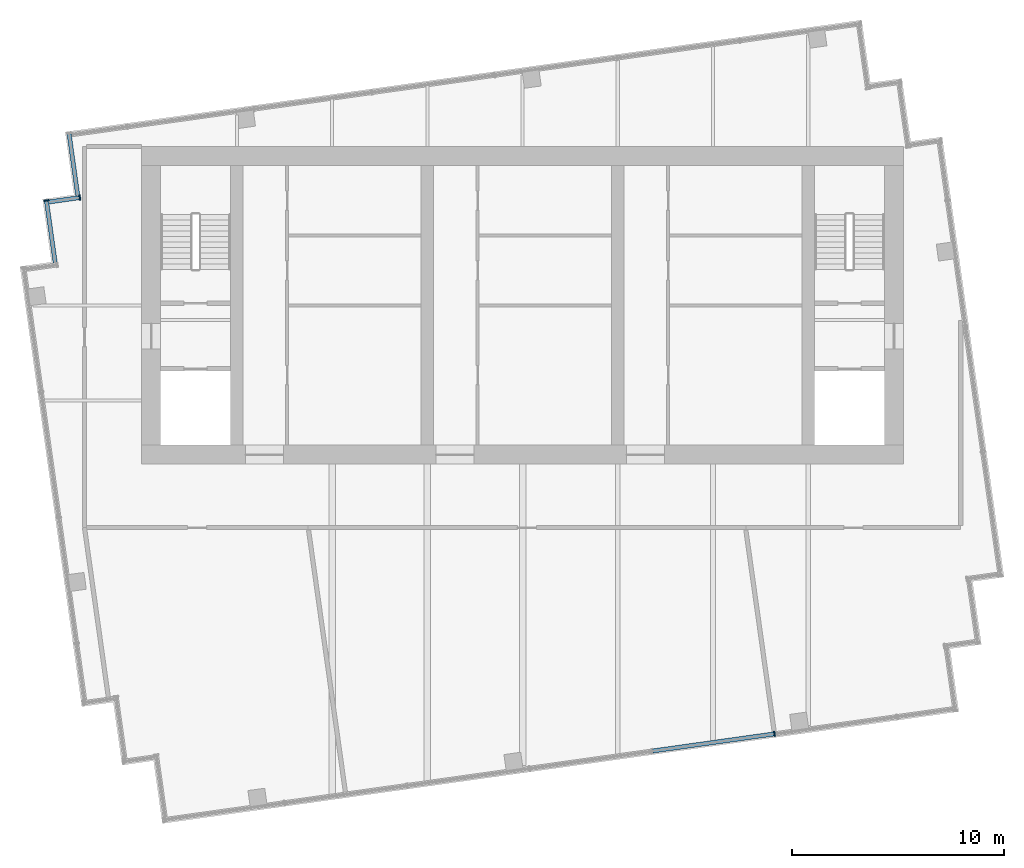
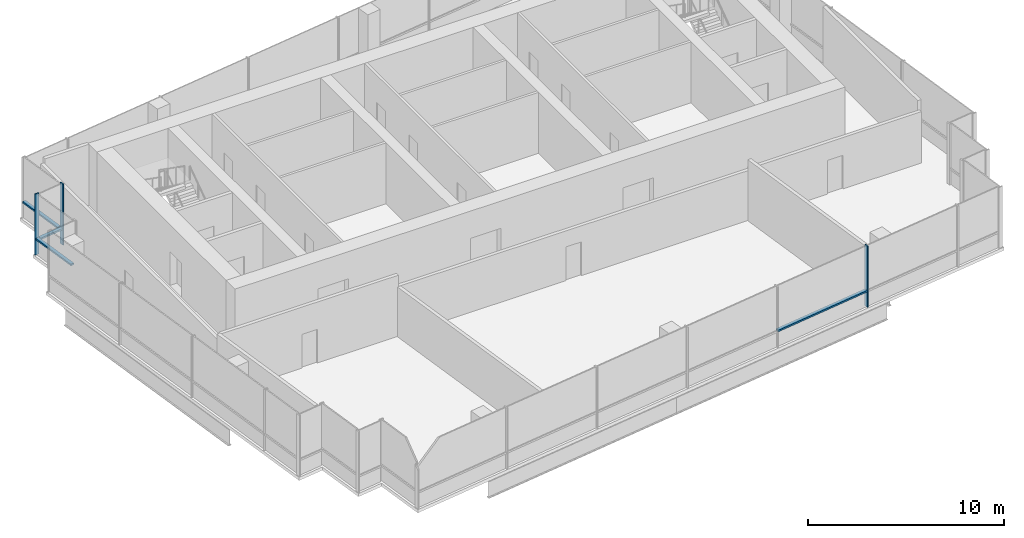
# One storey, part 3 of 9: 7 members, 4 elements without a shape of their own.
"""IFC4 building model written with IfcOpenShell, lengths in metres."""

from ifc_helpers import new_model, si_unit, direction, frame, origin, origin_2d, place, context, subcontext, project, spatial, rectangle, extrude, material, layer, layer_set, material_profile, profile_set, type_object, element, aggregate, save


model = new_model("IFC4")

# Units and contexts
model_context = context("Model", 3, precision=1e-05, world=origin(), true_north=direction((0.0, 1.0)))
body_context = subcontext(model_context, "Body", "Model", "MODEL_VIEW")
ifc_project = project(units=[si_unit("LENGTHUNIT", "METRE"), si_unit("AREAUNIT", "SQUARE_METRE"), si_unit("VOLUMEUNIT", "CUBIC_METRE"), si_unit("PLANEANGLEUNIT", "RADIAN"), si_unit("MASSUNIT", "GRAM", prefix="KILO")], contexts=[model_context])

# Site, building, storey
site_placement = place(None, origin())
site = spatial("IfcSite", under=ifc_project, at=site_placement, CompositionType="ELEMENT")
building_placement = place(site_placement, origin())
building = spatial("IfcBuilding", under=site, at=building_placement, Name="Rattan Terrace Tower", CompositionType="ELEMENT")
storey_placement = place(building_placement, frame((0.0, 0.0, 304.300048828125)))
storey = spatial("IfcBuildingStorey", under=building, at=storey_placement, Name="C04", CompositionType="ELEMENT", Elevation=304.300048828125)

# Curtain wall, member
ifc_material_1 = material(Name="Aluminium and laminated glass", Category="aluminium")
ifc_layer = layer(ifc_material_1, 0.239990234375)
ifc_layer_set = layer_set([ifc_layer], Name="Lantern Stick Curtain Wall")
curtain_wall_type = type_object("IfcCurtainWallType", Name="Lantern Stick Curtain Wall", PredefinedType="NOTDEFINED", material=ifc_layer_set)
curtain_wall_1_placement = place(storey_placement, origin())
curtain_wall_1 = element("IfcCurtainWall", 1, at=curtain_wall_1_placement, inside=storey, type_object=curtain_wall_type, Name="Lantern curtain wall C04-6", PredefinedType="NOTDEFINED")
ifc_material_2 = material(Name="Aluminium", Category="aluminium")
ifc_material_profile_1 = material_profile(ifc_material_2, rectangle(XDim=0.070068359375, YDim=0.239990234375, at=origin_2d()), Name="Aluminium 70x240")
ifc_profile_set_1 = profile_set([ifc_material_profile_1], Name="Aluminium")
member_type_1 = type_object("IfcMemberType", Name="Lantern CW Mullion 70x240", PredefinedType="MULLION", material=ifc_profile_set_1)
member_1_placement = place(storey_placement, frame((11.90283203125, -20.247314453125, 0.0), z_axis=(0.0, 0.0, 1.0), x_axis=(0.990266952226, 0.13918104515, 0.0)))
member_1 = element("IfcMember", 2, at=member_1_placement, type_object=member_type_1, Name="Mullion cwl-C04-006.6", PredefinedType="MULLION", context=body_context, shape_type="SweptSolid", body=[
    extrude(rectangle(XDim=0.070068359375, YDim=0.239990234375, at=origin_2d()), origin(), (0.0, 0.0, 1.0), 3.800048828125),
])

curtain_wall_2_placement = place(storey_placement, origin())
curtain_wall_2 = element("IfcCurtainWall", 3, at=curtain_wall_2_placement, inside=storey, type_object=curtain_wall_type, Name="Lantern curtain wall C04-18", PredefinedType="NOTDEFINED")
member_2_placement = place(storey_placement, frame((-20.9189453125, 5.09228515625, 0.0), z_axis=(0.0, 0.0, 1.0), x_axis=(-0.990227803001, -0.139459306479, 0.0)))
member_2 = element("IfcMember", 4, at=member_2_placement, type_object=member_type_1, Name="Mullion cwl-C04-018.1", PredefinedType="MULLION", context=body_context, shape_type="SweptSolid", body=[
    extrude(rectangle(XDim=0.070068359375, YDim=0.239990234375, at=origin_2d()), origin(), (0.0, 0.0, 1.0), 3.800048828125),
])

curtain_wall_3_placement = place(storey_placement, origin())
curtain_wall_3 = element("IfcCurtainWall", 5, at=curtain_wall_3_placement, inside=storey, type_object=curtain_wall_type, Name="Lantern curtain wall C04-19", PredefinedType="NOTDEFINED")
member_3_placement = place(storey_placement, frame((-22.498779296875, 4.95556640625, 0.0), z_axis=(0.0, 0.0, 1.0), x_axis=(0.139367219175, -0.990240767803, 0.0)))
member_3 = element("IfcMember", 6, at=member_3_placement, type_object=member_type_1, Name="Mullion cwl-C04-019.1", PredefinedType="MULLION", context=body_context, shape_type="SweptSolid", body=[
    extrude(rectangle(XDim=0.070068359375, YDim=0.239990234375, at=origin_2d()), origin(), (0.0, 0.0, 1.0), 3.800048828125),
])

# Member
ifc_material_3 = material(Name="Aluminium", Category="aluminium")
ifc_material_profile_2 = material_profile(ifc_material_3, rectangle(XDim=0.199951171875, YDim=0.10009765625, at=origin_2d()), Name="Aluminium 200x100")
ifc_profile_set_2 = profile_set([ifc_material_profile_2], Name="Aluminium")
member_type_2 = type_object("IfcMemberType", Name="Lantern CW Transom 200x100", PredefinedType="USERDEFINED", material=ifc_profile_set_2)
member_4_placement = place(storey_placement, frame((6.1484375, -21.05615234375, 1.0), z_axis=(0.990265684123, 0.139190067348, 0.0), x_axis=(-0.139190067348, 0.990265684123, 0.0)))
member_4 = element("IfcMember", 7, at=member_4_placement, type_object=member_type_2, Name="Transom cwl-C04-006.5", ObjectType="TRANSOM", PredefinedType="USERDEFINED", context=body_context, shape_type="SweptSolid", body=[
    extrude(rectangle(XDim=0.199951171875, YDim=0.10009765625, at=origin_2d()), origin(), (0.0, 0.0, 1.0), 5.77587890625),
])

aggregate(curtain_wall_1, [member_1, member_4])

# Curtain wall, member
curtain_wall_4_placement = place(storey_placement, origin())
curtain_wall_4 = element("IfcCurtainWall", 8, at=curtain_wall_4_placement, inside=storey, type_object=curtain_wall_type, Name="Lantern curtain wall C04-17", PredefinedType="NOTDEFINED")
member_5_placement = place(storey_placement, frame((-21.427001953125, 8.099853515625, 1.0), z_axis=(0.139028781454, -0.990288340801, 0.0), x_axis=(0.990288340801, 0.139028781454, 0.0)))
member_5 = element("IfcMember", 9, at=member_5_placement, type_object=member_type_2, Name="Transom cwl-C04-017.1", ObjectType="TRANSOM", PredefinedType="USERDEFINED", context=body_context, shape_type="SweptSolid", body=[
    extrude(rectangle(XDim=0.199951171875, YDim=0.10009765625, at=origin_2d()), origin(), (0.0, 0.0, 1.0), 2.92919921875),
])
aggregate(curtain_wall_4, [member_5])

# Member
member_6_placement = place(storey_placement, frame((-20.95361328125, 5.08740234375, 1.0), z_axis=(-0.990227834808, -0.139459080636, 0.0), x_axis=(0.139459080636, -0.990227834808, 0.0)))
member_6 = element("IfcMember", 10, at=member_6_placement, type_object=member_type_2, Name="Transom cwl-C04-018.1", ObjectType="TRANSOM", PredefinedType="USERDEFINED", context=body_context, shape_type="SweptSolid", body=[
    extrude(rectangle(XDim=0.199951171875, YDim=0.10009765625, at=origin_2d()), origin(), (0.0, 0.0, 1.0), 1.428466796875),
])

aggregate(curtain_wall_2, [member_2, member_6])

member_7_placement = place(storey_placement, frame((-22.493896484375, 4.9208984375, 1.0), z_axis=(0.139355716724, -0.990242386599, 0.0), x_axis=(0.990242386599, 0.139355716724, 0.0)))
member_7 = element("IfcMember", 11, at=member_7_placement, type_object=member_type_2, Name="Transom cwl-C04-019.1", ObjectType="TRANSOM", PredefinedType="USERDEFINED", context=body_context, shape_type="SweptSolid", body=[
    extrude(rectangle(XDim=0.199951171875, YDim=0.10009765625, at=origin_2d()), origin(), (0.0, 0.0, 1.0), 2.92919921875),
])

aggregate(curtain_wall_3, [member_3, member_7])

save(model, "model.ifc")
